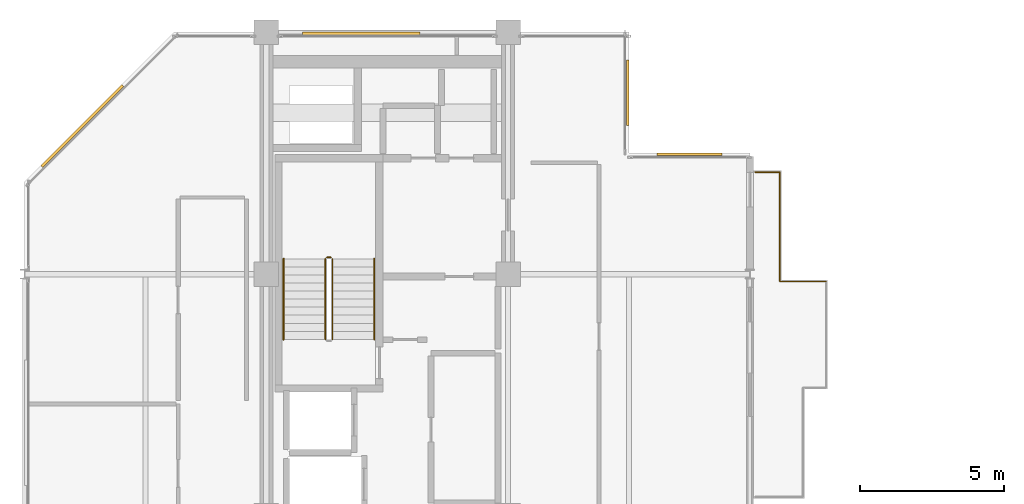
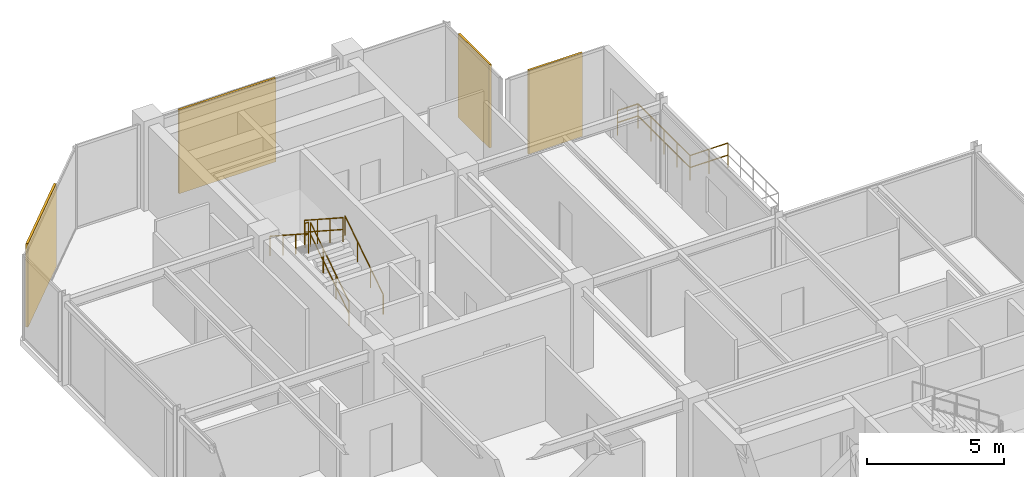
# One storey, part 24 of 24: 8 railings, 4 coverings.
"""IFC4 building model written with IfcOpenShell, lengths in metres."""

from ifc_helpers import new_model, si_unit, direction, frame, origin, origin_2d, place, context, subcontext, project, spatial, rectangle, circle, extrude, material, layer, layer_set, type_object, element, save


model = new_model("IFC4")

# Units and contexts
model_context = context("Model", 3, precision=1e-05, world=origin(), true_north=direction((0.0, 1.0)))
body_context = subcontext(model_context, "Body", "Model", "MODEL_VIEW")
ifc_project = project(units=[si_unit("LENGTHUNIT", "METRE"), si_unit("AREAUNIT", "SQUARE_METRE"), si_unit("VOLUMEUNIT", "CUBIC_METRE"), si_unit("PLANEANGLEUNIT", "RADIAN"), si_unit("MASSUNIT", "GRAM", prefix="KILO")], contexts=[model_context])

# Site, building, storey
site_placement = place(None, origin())
site = spatial("IfcSite", under=ifc_project, at=site_placement, CompositionType="ELEMENT")
building_placement = place(site_placement, origin())
building = spatial("IfcBuilding", under=site, at=building_placement, Name="Nerrivon Quay Data Exchange", CompositionType="ELEMENT")
storey_placement = place(building_placement, frame((0.0, 0.0, 306.199951171875)))
storey = spatial("IfcBuildingStorey", under=building, at=storey_placement, Name="L73", CompositionType="ELEMENT", Elevation=306.199951171875)

# Coverings
ifc_material_1 = material(Name="Architectural terracotta ceramic", Category="masonry")
ifc_layer = layer(ifc_material_1, 0.090087890625)
ifc_layer_set = layer_set([ifc_layer], Name="Architectural terracotta ceramic")
covering_type = type_object("IfcCoveringType", Name="COV-SCR-TERR", PredefinedType="CLADDING", material=ifc_layer_set)
covering_1_placement = place(storey_placement, frame((2.0078125, 38.744140625, 0.0), z_axis=(0.0, 0.0, 1.0), x_axis=(0.707106781187, 0.707106781187, 0.0)))
element("IfcCovering", 1, at=covering_1_placement, inside=storey, type_object=covering_type, Name="L73 Perforated Terracotta SOLAR SCREEN Cassette", PredefinedType="CLADDING", context=body_context, shape_type="SweptSolid", body=[
    extrude(rectangle(XDim=3.970947265625, YDim=0.090087890625, at=origin_2d()), origin(), (0.0, 0.0, 1.0), 3.72509765625),
])
covering_2_placement = place(storey_placement, frame((11.694091796875, 41.955078125, 0.0), z_axis=(0.0, 0.0, 1.0), x_axis=(1.0, 0.0, 0.0)))
element("IfcCovering", 2, at=covering_2_placement, inside=storey, type_object=covering_type, Name="L73 Perforated Terracotta SOLAR SCREEN Cassette", PredefinedType="CLADDING", context=body_context, shape_type="SweptSolid", body=[
    extrude(rectangle(XDim=4.076904296875, YDim=0.090087890625, at=origin_2d()), origin(), (0.0, 0.0, 1.0), 3.72509765625),
])
for number, where, z_axis, x_axis, name in (
    (3, (20.955078125, 39.89990234375, 0.0), (0.0, 0.0, 1.0), (0.0, -1.0, 0.0), "L73 Perforated Terracotta SOLAR SCREEN Cassette"),
    (4, (23.10009765625, 37.7548828125, 0.0), (0.0, 0.0, 1.0), (1.0, 0.0, 0.0), "L73 Perforated Terracotta SOLAR SCREEN Cassette"),
):
    element("IfcCovering", number, at=place(storey_placement, frame(where, z_axis=z_axis, x_axis=x_axis)), inside=storey, type_object=covering_type, Name=name, PredefinedType="CLADDING", context=body_context, shape_type="SweptSolid", body=[
        extrude(rectangle(XDim=2.26806640625, YDim=0.090087890625, at=origin_2d()), origin(), (0.0, 0.0, 1.0), 3.72509765625),
    ])

# Railings
ifc_material_2 = material(Name="Steel Grade C350L0 (350 MPa)", Category="steel")
railing_type_1 = type_object("IfcRailingType", Name="RAIL-GUARD-GR2", PredefinedType="BALUSTRADE", material=ifc_material_2)
railing_1_placement = place(storey_placement, frame((25.3798828125, 37.139892578125, 0.0)))
element("IfcRailing", 5, at=railing_1_placement, inside=storey, type_object=railing_type_1, Name="L73 Verandah Balcony Guard 1.3 1", PredefinedType="BALUSTRADE", context=body_context, shape_type="SweptSolid", body=[
    extrude(circle(Radius=0.02392578125, at=origin_2d()), frame((0.0, 0.0, 1.09619140625), z_axis=(1.0, 0.0, 0.0), x_axis=(0.0, 1.0, 0.0)), (0.0, 0.0, 1.0), 0.860107421875),
    extrude(circle(Radius=0.02392578125, at=origin_2d()), frame((0.0, 0.0, 0.56005859375), z_axis=(1.0, 0.0, 0.0), x_axis=(0.0, 1.0, 0.0)), (0.0, 0.0, 1.0), 0.860107421875),
    extrude(circle(Radius=0.02099609375, at=origin_2d()), origin(), (0.0, 0.0, 1.0), 1.072021484375),
    extrude(circle(Radius=0.02099609375, at=origin_2d()), frame((0.860107421875, 0.0, 0.0)), (0.0, 0.0, 1.0), 1.072021484375),
])
railing_2_placement = place(storey_placement, frame((26.239990234375, 37.139892578125, 0.0)))
element("IfcRailing", 6, at=railing_2_placement, inside=storey, type_object=railing_type_1, Name="L73 Verandah Balcony Guard 1.4 1", PredefinedType="BALUSTRADE", context=body_context, shape_type="SweptSolid", body=[
    extrude(circle(Radius=0.02392578125, at=origin_2d()), frame((0.0, 0.0, 1.09619140625), z_axis=(0.0, -1.0, 0.0), x_axis=(1.0, 0.0, 0.0)), (0.0, 0.0, 1.0), 3.7998046875),
    extrude(circle(Radius=0.02392578125, at=origin_2d()), frame((0.0, 0.0, 0.56005859375), z_axis=(0.0, -1.0, 0.0), x_axis=(1.0, 0.0, 0.0)), (0.0, 0.0, 1.0), 3.7998046875),
    extrude(circle(Radius=0.02099609375, at=origin_2d()), origin(), (0.0, 0.0, 1.0), 1.072021484375),
    extrude(circle(Radius=0.02099609375, at=origin_2d()), frame((0.0, -0.949951171875, 0.0)), (0.0, 0.0, 1.0), 1.072021484375),
    extrude(circle(Radius=0.02099609375, at=origin_2d()), frame((0.0, -1.89990234375, 0.0)), (0.0, 0.0, 1.0), 1.072021484375),
    extrude(circle(Radius=0.02099609375, at=origin_2d()), frame((0.0, -2.849853515625, 0.0)), (0.0, 0.0, 1.0), 1.072021484375),
    extrude(circle(Radius=0.02099609375, at=origin_2d()), frame((0.0, -3.7998046875, 0.0)), (0.0, 0.0, 1.0), 1.072021484375),
])
railing_3_placement = place(storey_placement, frame((26.239990234375, 33.340087890625, 0.0)))
element("IfcRailing", 7, at=railing_3_placement, inside=storey, type_object=railing_type_1, Name="L73 Verandah Balcony Guard 1.5 1", PredefinedType="BALUSTRADE", context=body_context, shape_type="SweptSolid", body=[
    extrude(circle(Radius=0.02392578125, at=origin_2d()), frame((0.0, 0.0, 1.09619140625), z_axis=(1.0, 0.0, 0.0), x_axis=(0.0, 1.0, 0.0)), (0.0, 0.0, 1.0), 1.60009765625),
    extrude(circle(Radius=0.02392578125, at=origin_2d()), frame((0.0, 0.0, 0.56005859375), z_axis=(1.0, 0.0, 0.0), x_axis=(0.0, 1.0, 0.0)), (0.0, 0.0, 1.0), 1.60009765625),
    extrude(circle(Radius=0.02099609375, at=origin_2d()), origin(), (0.0, 0.0, 1.0), 1.072021484375),
    extrude(circle(Radius=0.02099609375, at=origin_2d()), frame((0.800048828125, 0.0, 0.0)), (0.0, 0.0, 1.0), 1.072021484375),
    extrude(circle(Radius=0.02099609375, at=origin_2d()), frame((1.60009765625, 0.0, 0.0)), (0.0, 0.0, 1.0), 1.072021484375),
])
railing_type_2 = type_object("IfcRailingType", Name="RAIL-HAND-HR1", PredefinedType="HANDRAIL", material=ifc_material_2)
railing_4_placement = place(storey_placement, frame((12.14990234375, 31.330078125, 0.181884765625)))
element("IfcRailing", 8, at=railing_4_placement, inside=storey, type_object=railing_type_2, Name="L73 ST01 stair handrail 1", PredefinedType="HANDRAIL", context=body_context, shape_type="SweptSolid", body=[
    extrude(circle(Radius=0.02392578125, at=origin_2d()), frame((0.0, 0.0, 0.8759765625), z_axis=(0.0, 0.83868413941, 0.544618136222), x_axis=(-1.0, 0.0, 0.0)), (0.0, 0.0, 1.0), 3.33837890625),
    extrude(circle(Radius=0.02099609375, at=origin_2d()), origin(), (0.0, 0.0, 1.0), 0.851806640625),
    extrude(circle(Radius=0.02099609375, at=origin_2d()), frame((0.0, 0.933349609375, 0.60595703125)), (0.0, 0.0, 1.0), 0.851806640625),
    extrude(circle(Radius=0.02099609375, at=origin_2d()), frame((0.0, 1.866455078125, 1.212158203125)), (0.0, 0.0, 1.0), 0.851806640625),
    extrude(circle(Radius=0.02099609375, at=origin_2d()), frame((0.0, 2.7998046875, 1.818115234375)), (0.0, 0.0, 1.0), 0.851806640625),
])
railing_5_placement = place(storey_placement, frame((9.0, 34.1298828125, 2.181884765625)))
element("IfcRailing", 9, at=railing_5_placement, inside=storey, type_object=railing_type_2, Name="L73 ST01 stair handrail 2", PredefinedType="HANDRAIL", context=body_context, shape_type="SweptSolid", body=[
    extrude(circle(Radius=0.02392578125, at=origin_2d()), frame((0.0, 0.0, 0.8759765625), z_axis=(0.0, -0.83868413941, 0.544618136222), x_axis=(1.0, 0.0, 0.0)), (0.0, 0.0, 1.0), 3.33837890625),
    extrude(circle(Radius=0.02099609375, at=origin_2d()), origin(), (0.0, 0.0, 1.0), 0.851806640625),
    extrude(circle(Radius=0.02099609375, at=origin_2d()), frame((0.0, -0.933349609375, 0.60595703125)), (0.0, 0.0, 1.0), 0.851806640625),
    extrude(circle(Radius=0.02099609375, at=origin_2d()), frame((0.0, -1.866455078125, 1.212158203125)), (0.0, 0.0, 1.0), 0.851806640625),
    extrude(circle(Radius=0.02099609375, at=origin_2d()), frame((0.0, -2.7998046875, 1.818115234375)), (0.0, 0.0, 1.0), 0.851806640625),
])
railing_type_3 = type_object("IfcRailingType", Name="RAIL-STAIR-GR1", PredefinedType="BALUSTRADE", material=ifc_material_2)
railing_6_placement = place(storey_placement, frame((10.699951171875, 31.330078125, 0.181884765625)))
element("IfcRailing", 10, at=railing_6_placement, inside=storey, type_object=railing_type_3, Name="L73 ST01 stair guard 1", PredefinedType="BALUSTRADE", context=body_context, shape_type="SweptSolid", body=[
    extrude(circle(Radius=0.02392578125, at=origin_2d()), frame((0.0, 0.0, 1.076171875), z_axis=(0.0, 0.83868413941, 0.544618136222), x_axis=(-1.0, 0.0, 0.0)), (0.0, 0.0, 1.0), 3.33837890625),
    extrude(circle(Radius=0.02392578125, at=origin_2d()), frame((0.0, 0.0, 0.550048828125), z_axis=(0.0, 0.83868413941, 0.544618136222), x_axis=(-1.0, 0.0, 0.0)), (0.0, 0.0, 1.0), 3.33837890625),
    extrude(circle(Radius=0.02099609375, at=origin_2d()), origin(), (0.0, 0.0, 1.0), 1.052001953125),
    extrude(circle(Radius=0.02099609375, at=origin_2d()), frame((0.0, 0.933349609375, 0.60595703125)), (0.0, 0.0, 1.0), 1.052001953125),
    extrude(circle(Radius=0.02099609375, at=origin_2d()), frame((0.0, 1.866455078125, 1.212158203125)), (0.0, 0.0, 1.0), 1.052001953125),
    extrude(circle(Radius=0.02099609375, at=origin_2d()), frame((0.0, 2.7998046875, 1.818115234375)), (0.0, 0.0, 1.0), 1.052001953125),
])
railing_7_placement = place(storey_placement, frame((10.64990234375, 34.179931640625, 2.0)))
element("IfcRailing", 11, at=railing_7_placement, inside=storey, type_object=railing_type_3, Name="L73 ST01 stair guard 2", PredefinedType="BALUSTRADE", context=body_context, shape_type="SweptSolid", body=[
    extrude(circle(Radius=0.02392578125, at=origin_2d()), frame((0.0, 0.0, 1.076171875), z_axis=(-1.0, 0.0, 0.0), x_axis=(0.0, -1.0, 0.0)), (0.0, 0.0, 1.0), 0.14990234375),
    extrude(circle(Radius=0.02392578125, at=origin_2d()), frame((0.0, 0.0, 0.550048828125), z_axis=(-1.0, 0.0, 0.0), x_axis=(0.0, -1.0, 0.0)), (0.0, 0.0, 1.0), 0.14990234375),
    extrude(circle(Radius=0.02099609375, at=origin_2d()), origin(), (0.0, 0.0, 1.0), 1.052001953125),
    extrude(circle(Radius=0.02099609375, at=origin_2d()), frame((-0.14990234375, 0.0, 0.0)), (0.0, 0.0, 1.0), 1.052001953125),
])
railing_8_placement = place(storey_placement, frame((10.449951171875, 34.1298828125, 2.181884765625)))
element("IfcRailing", 12, at=railing_8_placement, inside=storey, type_object=railing_type_3, Name="L73 ST01 stair guard 3", PredefinedType="BALUSTRADE", context=body_context, shape_type="SweptSolid", body=[
    extrude(circle(Radius=0.02392578125, at=origin_2d()), frame((0.0, 0.0, 1.076171875), z_axis=(0.0, -0.83868413941, 0.544618136222), x_axis=(1.0, 0.0, 0.0)), (0.0, 0.0, 1.0), 3.33837890625),
    extrude(circle(Radius=0.02392578125, at=origin_2d()), frame((0.0, 0.0, 0.550048828125), z_axis=(0.0, -0.83868413941, 0.544618136222), x_axis=(1.0, 0.0, 0.0)), (0.0, 0.0, 1.0), 3.33837890625),
    extrude(circle(Radius=0.02099609375, at=origin_2d()), origin(), (0.0, 0.0, 1.0), 1.052001953125),
    extrude(circle(Radius=0.02099609375, at=origin_2d()), frame((0.0, -0.933349609375, 0.60595703125)), (0.0, 0.0, 1.0), 1.052001953125),
    extrude(circle(Radius=0.02099609375, at=origin_2d()), frame((0.0, -1.866455078125, 1.212158203125)), (0.0, 0.0, 1.0), 1.052001953125),
    extrude(circle(Radius=0.02099609375, at=origin_2d()), frame((0.0, -2.7998046875, 1.818115234375)), (0.0, 0.0, 1.0), 1.052001953125),
])

save(model, "model.ifc")
